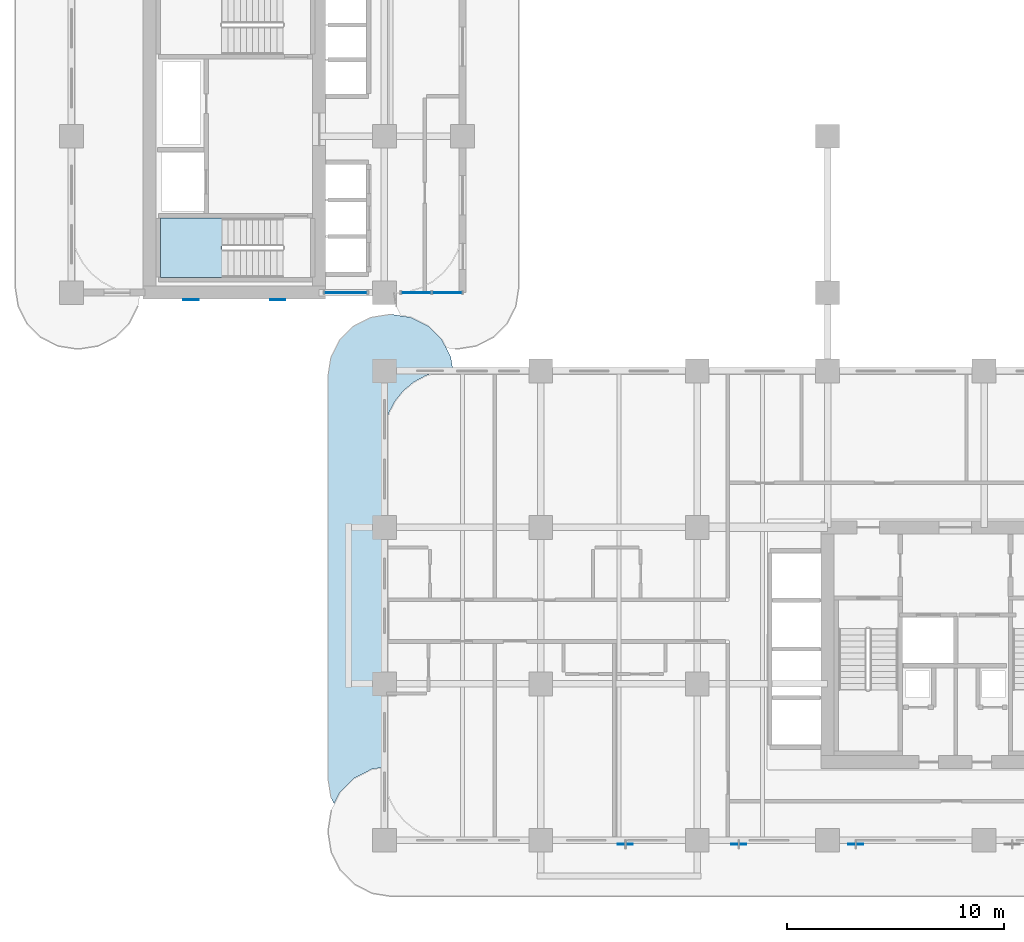
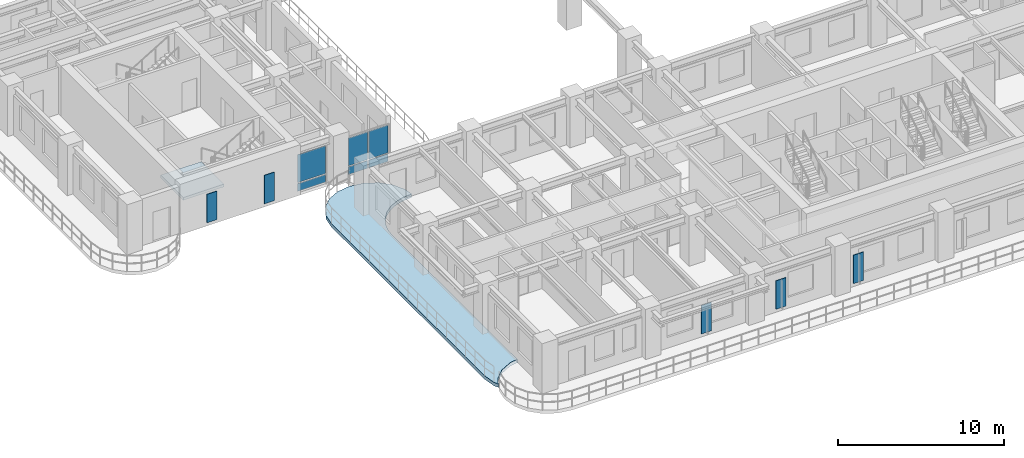
# One storey, part 4 of 19: 11 plates, 2 slabs, 3 elements without a shape of their own.
"""IFC4 building model written with IfcOpenShell, lengths in metres."""

from ifc_helpers import new_model, si_unit, derived_unit, direction, frame, origin, origin_2d, place, context, subcontext, project, spatial, polyline, rectangle, outline, extrude, source, transform, mapped, material, layer, layer_set, type_object, type_shapes, element, aggregate, save


model = new_model("IFC4")

# Units and contexts
model_context = context("Model", 3, precision=1e-05, world=origin(), true_north=direction((0.0, 1.0)))
body_context = subcontext(model_context, "Body", "Model", "MODEL_VIEW")
ifc_project = project(units=[si_unit("LENGTHUNIT", "METRE"), si_unit("AREAUNIT", "SQUARE_METRE"), si_unit("VOLUMEUNIT", "CUBIC_METRE"), si_unit("PLANEANGLEUNIT", "RADIAN"), si_unit("MASSUNIT", "GRAM", prefix="KILO"), si_unit("THERMODYNAMICTEMPERATUREUNIT", "KELVIN"), si_unit("POWERUNIT", "WATT"), derived_unit("THERMALTRANSMITTANCEUNIT", [(si_unit("POWERUNIT", "WATT"), 1), (si_unit("AREAUNIT", "SQUARE_METRE"), -1), (si_unit("THERMODYNAMICTEMPERATUREUNIT", "KELVIN"), -1)])], contexts=[model_context])

# Site, building, storey
site_placement = place(None, origin())
site = spatial("IfcSite", under=ifc_project, at=site_placement, CompositionType="ELEMENT")
building_placement = place(site_placement, origin())
building = spatial("IfcBuilding", under=site, at=building_placement, Name="Zahravan Archway Hotel and Residences", CompositionType="ELEMENT")
storey_placement = place(building_placement, frame((0.0, 0.0, 32.39990234375)))
storey = spatial("IfcBuildingStorey", under=building, at=storey_placement, Name="L06", CompositionType="ELEMENT", Elevation=32.39990234375)

# Slab
ifc_material_1 = material(Name="Concrete C45/55", Category="concrete")
ifc_layer_1 = layer(ifc_material_1, 0.25, Name="Concrete C45/55", Category="concrete")
ifc_layer_set_1 = layer_set([ifc_layer_1], Name="Concrete C45/55")
slab_type_1 = type_object("IfcSlabType", Name="SLB-BALC-250", PredefinedType="FLOOR", material=ifc_layer_set_1)
slab_1_placement = place(storey_placement, frame((0.0, 0.0, -0.25)))
element("IfcSlab", 1, at=slab_1_placement, inside=storey, type_object=slab_type_1, Name="L06 Wing A West Rounded Balcony Band", PredefinedType="FLOOR", context=body_context, shape_type="SweptSolid", body=[
    extrude(outline(polyline([(11.939453125, 1.96923828125), (11.800048828125, 2.85009765625), (11.800048828125, 21.35009765625), (11.939453125, 22.230712890625), (12.34423828125, 23.025146484375), (12.974853515625, 23.65576171875), (13.769287109375, 24.060546875), (14.64990234375, 24.199951171875), (14.75, 24.199951171875), (15.630615234375, 24.060546875), (16.42529296875, 23.65576171875), (17.0556640625, 23.025146484375), (17.46044921875, 22.230712890625), (17.55712890625, 21.6201171875), (17.5, 21.6201171875), (17.498046875, 21.619873046875), (16.893310546875, 21.560302734375), (16.891357421875, 21.56005859375), (16.889404296875, 21.5595703125), (16.307861328125, 21.383056640625), (16.305908203125, 21.382568359375), (16.30419921875, 21.381591796875), (15.768310546875, 21.09521484375), (15.7666015625, 21.09423828125), (15.764892578125, 21.093017578125), (15.29541015625, 20.70751953125), (15.2939453125, 20.7060546875), (15.29248046875, 20.70458984375), (14.906982421875, 20.235107421875), (14.90576171875, 20.2333984375), (14.90478515625, 20.231689453125), (14.618408203125, 19.69580078125), (14.617431640625, 19.694091796875), (14.616943359375, 19.692138671875), (14.4404296875, 19.110595703125), (14.43994140625, 19.108642578125), (14.439697265625, 19.106689453125), (14.380126953125, 18.501953125), (14.3798828125, 18.5), (14.3798828125, 3.361328125), (14.37890625, 3.361328125), (14.376953125, 3.361083984375), (13.835205078125, 3.275390625), (13.833251953125, 3.27490234375), (13.831298828125, 3.2744140625), (13.829345703125, 3.2734375), (13.0068359375, 2.8544921875), (13.005126953125, 2.853515625), (13.00341796875, 2.85205078125), (13.001953125, 2.8505859375), (12.349365234375, 2.197998046875), (12.347900390625, 2.196533203125), (12.3466796875, 2.19482421875), (12.345703125, 2.193115234375), (12.08544921875, 1.6826171875), (11.939453125, 1.96923828125)])), origin(), (0.0, 0.0, 1.0), 0.25),
])

# Stair, slab
ifc_material_2 = material(Name="Concrete C50/60", Category="concrete")
stair_type = type_object("IfcStairType", Name="STR-CORE-1300", PredefinedType="HALF_TURN_STAIR", material=ifc_material_2)
stair_placement = place(storey_placement, origin())
stair = element("IfcStair", 2, at=stair_placement, inside=storey, type_object=stair_type, Name="L06 Core B Exit Stair 1", PredefinedType="HALF_TURN_STAIR")
ifc_layer_2 = layer(ifc_material_2, 0.199951171875, Name="Concrete C50/60", Category="concrete")
ifc_layer_set_2 = layer_set([ifc_layer_2], Name="Concrete C50/60")
slab_type_2 = type_object("IfcSlabType", Name="SLB-LND-200", PredefinedType="LANDING", material=ifc_layer_set_2)
slab_2_placement = place(storey_placement, frame((0.0, 0.0, 1.650146484375)))
slab_2 = element("IfcSlab", 3, at=slab_2_placement, type_object=slab_type_2, Name="ST-B1 landing 1", PredefinedType="LANDING", context=body_context, shape_type="SweptSolid", body=[
    extrude(outline(polyline([(6.929931640625, 28.639892578125), (4.10009765625, 28.639892578125), (4.10009765625, 25.89990234375), (6.929931640625, 25.89990234375), (6.929931640625, 28.639892578125)])), origin(), (0.0, 0.0, 1.0), 0.199951171875),
])
aggregate(stair, [slab_2])

# Plates
ifc_material_3 = material(Name="Perforated Cast Bronze Jali Lattice")
ifc_layer_3 = layer(ifc_material_3, 0.044921875, Name="Perforated Cast Bronze Jali Lattice")
ifc_layer_set_3 = layer_set([ifc_layer_3], Name="Perforated Cast Bronze Jali Lattice")
plate_type_1 = type_object("IfcPlateType", Name="PLT-JALI-BAY", PredefinedType="USERDEFINED", material=ifc_layer_set_3)
shared_shape_1 = source(origin(), body_context, "Body", "SweptSolid", [
    extrude(rectangle(XDim=0.699951171875, YDim=0.044921875, at=origin_2d()), origin(), (0.0, 0.0, 1.0), 2.10009765625),
])
type_shapes(plate_type_1, [shared_shape_1])
for number, where, z_axis, x_axis, name in (
    (4, (5.5, 24.882080078125, 0.25), (0.0, 0.0, 1.0), (1.0, 0.0, 0.0), "L06 Core B South Mughal Jali Screen 1"),
    (5, (9.5, 24.882080078125, 0.25), (0.0, 0.0, 1.0), (1.0, 0.0, 0.0), "L06 Core B South Mughal Jali Screen 2"),
    (6, (25.493896484375, -0.177978515625, 0.25), (0.0, 0.0, 1.0), (1.0, 0.0, 0.0), "L06 Perforated Bronze Jali Pier Screen 01"),
    (7, (30.7080078125, -0.177978515625, 0.25), (0.0, 0.0, 1.0), (1.0, 0.0, 0.0), "L06 Perforated Bronze Jali Pier Screen 02"),
    (8, (36.10009765625, -0.177978515625, 0.25), (0.0, 0.0, 1.0), (1.0, 0.0, 0.0), "L06 Perforated Bronze Jali Pier Screen 03"),
):
    element("IfcPlate", number, at=place(storey_placement, frame(where, z_axis=z_axis, x_axis=x_axis)), inside=storey, type_object=plate_type_1, Name=name, ObjectType="SCREEN", PredefinedType="USERDEFINED", context=body_context, shape_type="MappedRepresentation", body=[
        mapped(shared_shape_1, transform((0.0, 0.0, 0.0), scale=1.0)),
    ])

# Curtain wall, plates
ifc_material_4 = material(Name="Bronze-Anodized Unitised Aluminium & Low-E Glass", Category="aluminium")
ifc_layer_4 = layer(ifc_material_4, 0.179931640625, Name="Bronze-Anodized Unitised Aluminium & Low-E Glass", Category="aluminium")
ifc_layer_set_4 = layer_set([ifc_layer_4], Name="Bronze-Anodized Unitised Aluminium & Low-E Glass")
curtain_wall_type = type_object("IfcCurtainWallType", Name="CW-ATR-GLAZ", PredefinedType="NOTDEFINED", material=ifc_layer_set_4)
curtain_wall_1_placement = place(storey_placement, origin())
curtain_wall_1 = element("IfcCurtainWall", 9, at=curtain_wall_1_placement, inside=storey, type_object=curtain_wall_type, Name="L06 Curtain Wall CW-L06-WB-SE-1", PredefinedType="NOTDEFINED")
ifc_material_5 = material(Name="Insulated Terracotta Spandrel Panel", Category="masonry")
ifc_layer_5 = layer(ifc_material_5, 0.0400390625, Name="Insulated Terracotta Spandrel Panel", Category="masonry")
ifc_layer_set_5 = layer_set([ifc_layer_5], Name="Insulated Terracotta Spandrel Panel")
plate_type_2 = type_object("IfcPlateType", Name="CWP-SPN-40", PredefinedType="SHEET", material=ifc_layer_set_5)
shared_shape_2 = source(origin(), body_context, "Body", "SweptSolid", [
    extrude(rectangle(XDim=1.93994140625, YDim=0.0400390625, at=origin_2d()), origin(), (0.0, 0.0, 1.0), 0.552490234375),
])
plate_1_placement = place(storey_placement, frame((12.6298828125, 25.199951171875, 0.10009765625), z_axis=(0.0, 0.0, 1.0), x_axis=(1.0, 0.0, 0.0)))
plate_1 = element("IfcPlate", 10, at=plate_1_placement, type_object=plate_type_2, Name="CW-L06-WB-SE-1 Spandrel Panel 0", PredefinedType="SHEET", context=body_context, shape_type="MappedRepresentation", body=[
    mapped(shared_shape_2, transform((0.0, 0.0, 0.0), scale=1.0)),
])
ifc_material_6 = material(Name="Double-Silver Low-E Insulated Vision Glass", Category="glass")
ifc_layer_6 = layer(ifc_material_6, 0.028076171875, Name="Double-Silver Low-E Insulated Vision Glass", Category="glass")
ifc_layer_set_6 = layer_set([ifc_layer_6], Name="Double-Silver Low-E Insulated Vision Glass")
plate_type_3 = type_object("IfcPlateType", Name="CWP-GLZ-28", PredefinedType="CURTAIN_PANEL", material=ifc_layer_set_6)
shared_shape_3 = source(origin(), body_context, "Body", "SweptSolid", [
    extrude(rectangle(XDim=1.93994140625, YDim=0.028076171875, at=origin_2d()), origin(), (0.0, 0.0, 1.0), 2.052490234375),
])
plate_2_placement = place(storey_placement, frame((12.6298828125, 25.199951171875, 0.732421875), z_axis=(0.0, 0.0, 1.0), x_axis=(1.0, 0.0, 0.0)))
plate_2 = element("IfcPlate", 11, at=plate_2_placement, type_object=plate_type_3, Name="CW-L06-WB-SE-1 Low-E Vision Panel 0", PredefinedType="CURTAIN_PANEL", context=body_context, shape_type="MappedRepresentation", body=[
    mapped(shared_shape_3, transform((0.0, 0.0, 0.0), scale=1.0)),
])
aggregate(curtain_wall_1, [plate_1, plate_2])

curtain_wall_2_placement = place(storey_placement, origin())
curtain_wall_2 = element("IfcCurtainWall", 12, at=curtain_wall_2_placement, inside=storey, type_object=curtain_wall_type, Name="L06 Curtain Wall CW-L06-WB-SE-2", PredefinedType="NOTDEFINED")
shared_shape_4 = source(origin(), body_context, "Body", "SweptSolid", [
    extrude(rectangle(XDim=1.340087890625, YDim=0.0400390625, at=origin_2d()), origin(), (0.0, 0.0, 1.0), 0.552490234375),
])
plate_3_placement = place(storey_placement, frame((15.8701171875, 25.199951171875, 0.10009765625), z_axis=(0.0, 0.0, 1.0), x_axis=(1.0, 0.0, 0.0)))
plate_3 = element("IfcPlate", 13, at=plate_3_placement, type_object=plate_type_2, Name="CW-L06-WB-SE-2 Spandrel Panel 0", PredefinedType="SHEET", context=body_context, shape_type="MappedRepresentation", body=[
    mapped(shared_shape_4, transform((0.0, 0.0, 0.0), scale=1.0)),
])
plate_4_placement = place(storey_placement, frame((17.2900390625, 25.199951171875, 0.10009765625), z_axis=(0.0, 0.0, 1.0), x_axis=(1.0, 0.0, 0.0)))
plate_4 = element("IfcPlate", 14, at=plate_4_placement, type_object=plate_type_2, Name="CW-L06-WB-SE-2 Spandrel Panel 1", PredefinedType="SHEET", context=body_context, shape_type="MappedRepresentation", body=[
    mapped(shared_shape_4, transform((0.0, 0.0, 0.0), scale=1.0)),
])
shared_shape_5 = source(origin(), body_context, "Body", "SweptSolid", [
    extrude(rectangle(XDim=1.340087890625, YDim=0.028076171875, at=origin_2d()), origin(), (0.0, 0.0, 1.0), 2.052490234375),
])
plate_5_placement = place(storey_placement, frame((15.8701171875, 25.199951171875, 0.732421875), z_axis=(0.0, 0.0, 1.0), x_axis=(1.0, 0.0, 0.0)))
plate_5 = element("IfcPlate", 15, at=plate_5_placement, type_object=plate_type_3, Name="CW-L06-WB-SE-2 Low-E Vision Panel 0", PredefinedType="CURTAIN_PANEL", context=body_context, shape_type="MappedRepresentation", body=[
    mapped(shared_shape_5, transform((0.0, 0.0, 0.0), scale=1.0)),
])
plate_6_placement = place(storey_placement, frame((17.2900390625, 25.199951171875, 0.732421875), z_axis=(0.0, 0.0, 1.0), x_axis=(1.0, 0.0, 0.0)))
plate_6 = element("IfcPlate", 16, at=plate_6_placement, type_object=plate_type_3, Name="CW-L06-WB-SE-2 Low-E Vision Panel 1", PredefinedType="CURTAIN_PANEL", context=body_context, shape_type="MappedRepresentation", body=[
    mapped(shared_shape_5, transform((0.0, 0.0, 0.0), scale=1.0)),
])
aggregate(curtain_wall_2, [plate_3, plate_5, plate_4, plate_6])

save(model, "model.ifc")
